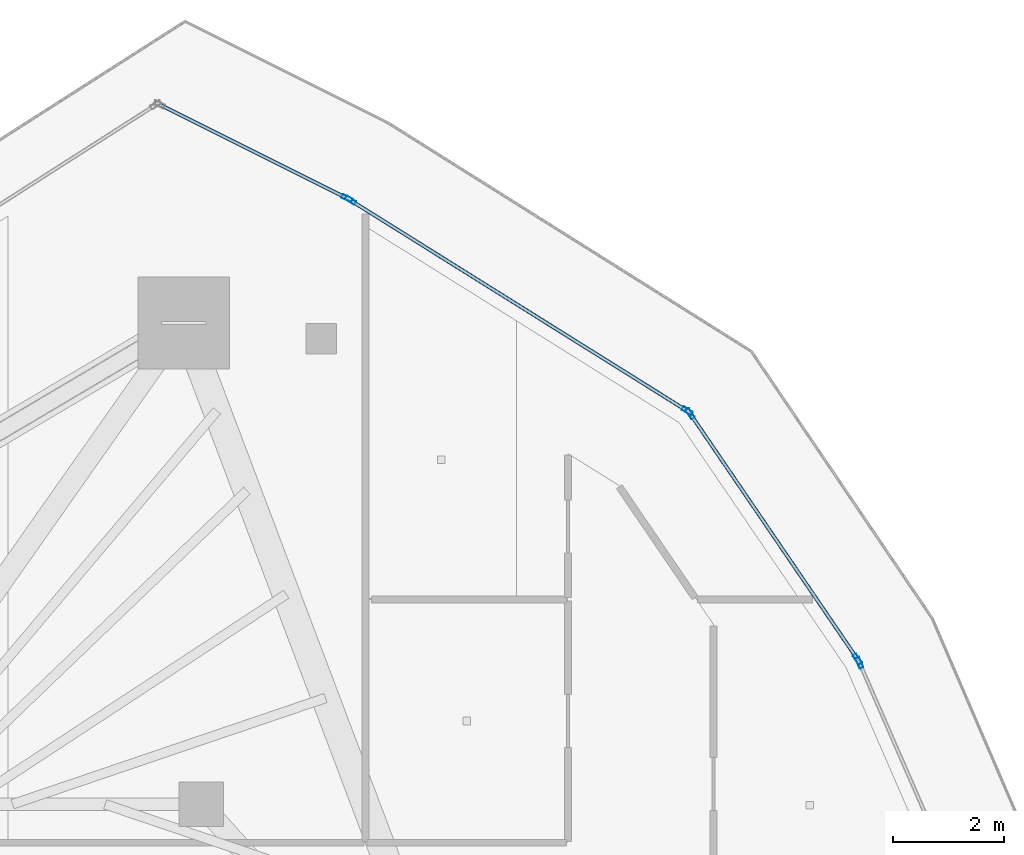
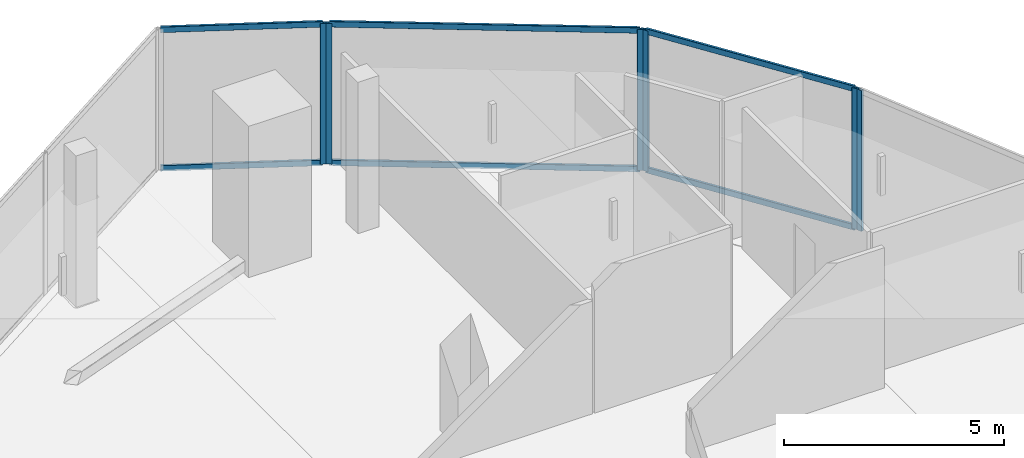
# One storey, part 21 of 34: 12 members, 4 elements without a shape of their own.
"""IFC4 building model written with IfcOpenShell, lengths in metres."""

from ifc_helpers import new_model, si_unit, direction, frame, origin, origin_2d, place, context, subcontext, project, spatial, hollow_rectangle, extrude, material, layer, layer_set, material_profile, profile_set, type_object, element, aggregate, save


model = new_model("IFC4")

# Units and contexts
model_context = context("Model", 3, precision=1e-05, world=origin(), true_north=direction((0.0, 1.0)))
body_context = subcontext(model_context, "Body", "Model", "MODEL_VIEW")
ifc_project = project(units=[si_unit("LENGTHUNIT", "METRE"), si_unit("AREAUNIT", "SQUARE_METRE"), si_unit("VOLUMEUNIT", "CUBIC_METRE"), si_unit("PLANEANGLEUNIT", "RADIAN"), si_unit("MASSUNIT", "GRAM", prefix="KILO")], contexts=[model_context])

# Site, building, storey
site_placement = place(None, origin())
site = spatial("IfcSite", under=ifc_project, at=site_placement, CompositionType="ELEMENT")
building_placement = place(site_placement, origin())
building = spatial("IfcBuilding", under=site, at=building_placement, Name="Qorvath Tower", CompositionType="ELEMENT")
storey_placement = place(building_placement, frame((0.0, 0.0, 276.60009765625)))
storey = spatial("IfcBuildingStorey", under=building, at=storey_placement, Name="L64", CompositionType="ELEMENT", Elevation=276.60009765625)

# Curtain wall, member
ifc_material_1 = material(Name="Anodised aluminium and triple low-E glass", Category="aluminium")
ifc_layer = layer(ifc_material_1, 0.179931640625)
ifc_layer_set = layer_set([ifc_layer], Name="CW-SYS-4")
curtain_wall_type = type_object("IfcCurtainWallType", Name="CW-SYS-4", PredefinedType="NOTDEFINED", material=ifc_layer_set)
curtain_wall_1_placement = place(storey_placement, origin())
curtain_wall_1 = element("IfcCurtainWall", 1, at=curtain_wall_1_placement, inside=storey, type_object=curtain_wall_type, Name="Curtain Wall CW-4 CW-T-L64-12.1", PredefinedType="NOTDEFINED")
ifc_material_2 = material(Name="Anodised aluminium 6063-T6", Category="aluminium")
ifc_material_profile_1 = material_profile(ifc_material_2, hollow_rectangle(XDim=0.074951171875, YDim=0.199951171875, WallThickness=0.00390625, InnerFilletRadius=0.00390625, OuterFilletRadius=0.008056640625, at=origin_2d()), Name="CWM 200x75")
ifc_profile_set_1 = profile_set([ifc_material_profile_1], Name="Anodised aluminium 6063-T6")
member_type_1 = type_object("IfcMemberType", Name="CWM-200", PredefinedType="MULLION", material=ifc_profile_set_1)
member_1_placement = place(storey_placement, frame((-5.365966796875, 13.994384765625, 0.0), z_axis=(0.0, 0.0, 1.0), x_axis=(-0.91655883173, -0.399899872441, 0.0)))
member_1 = element("IfcMember", 2, at=member_1_placement, type_object=member_type_1, Name="CW-4 mullion 2", PredefinedType="MULLION", context=body_context, shape_type="SweptSolid", body=[
    extrude(hollow_rectangle(XDim=0.074951171875, YDim=0.199951171875, WallThickness=0.00390625, InnerFilletRadius=0.00390625, OuterFilletRadius=0.008056640625, at=origin_2d()), origin(), (0.0, 0.0, 1.0), 3.909912109375),
])
aggregate(curtain_wall_1, [member_1])

# Curtain wall, members
curtain_wall_2_placement = place(storey_placement, origin())
curtain_wall_2 = element("IfcCurtainWall", 3, at=curtain_wall_2_placement, inside=storey, type_object=curtain_wall_type, Name="Curtain Wall CW-4 CW-T-L64-13.1", PredefinedType="NOTDEFINED")
member_2_placement = place(storey_placement, frame((-5.402099609375, 14.059814453125, 0.0), z_axis=(0.0, 0.0, 1.0), x_axis=(-0.826318799643, -0.56320266455, 0.0)))
member_2 = element("IfcMember", 4, at=member_2_placement, type_object=member_type_1, Name="CW-4 mullion 1", PredefinedType="MULLION", context=body_context, shape_type="SweptSolid", body=[
    extrude(hollow_rectangle(XDim=0.074951171875, YDim=0.199951171875, WallThickness=0.00390625, InnerFilletRadius=0.00390625, OuterFilletRadius=0.008056640625, at=origin_2d()), origin(), (0.0, 0.0, 1.0), 3.909912109375),
])
member_3_placement = place(storey_placement, frame((-8.407958984375, 18.47021484375, 0.0), z_axis=(0.0, 0.0, 1.0), x_axis=(-0.826318799643, -0.56320266455, 0.0)))
member_3 = element("IfcMember", 5, at=member_3_placement, type_object=member_type_1, Name="CW-4 mullion 2", PredefinedType="MULLION", context=body_context, shape_type="SweptSolid", body=[
    extrude(hollow_rectangle(XDim=0.074951171875, YDim=0.199951171875, WallThickness=0.00390625, InnerFilletRadius=0.00390625, OuterFilletRadius=0.008056640625, at=origin_2d()), origin(), (0.0, 0.0, 1.0), 3.909912109375),
])

curtain_wall_3_placement = place(storey_placement, origin())
curtain_wall_3 = element("IfcCurtainWall", 6, at=curtain_wall_3_placement, inside=storey, type_object=curtain_wall_type, Name="Curtain Wall CW-4 CW-T-L64-14.1", PredefinedType="NOTDEFINED")
member_4_placement = place(storey_placement, frame((-8.4609375, 18.52099609375, 0.0), z_axis=(0.0, 0.0, 1.0), x_axis=(-0.530362503391, -0.84777096848, 0.0)))
member_4 = element("IfcMember", 7, at=member_4_placement, type_object=member_type_1, Name="CW-4 mullion 1", PredefinedType="MULLION", context=body_context, shape_type="SweptSolid", body=[
    extrude(hollow_rectangle(XDim=0.074951171875, YDim=0.199951171875, WallThickness=0.00390625, InnerFilletRadius=0.00390625, OuterFilletRadius=0.008056640625, at=origin_2d()), origin(), (0.0, 0.0, 1.0), 3.909912109375),
])
member_5_placement = place(storey_placement, frame((-14.51708984375, 22.309814453125, 0.0), z_axis=(0.0, 0.0, 1.0), x_axis=(-0.530362503391, -0.84777096848, 0.0)))
member_5 = element("IfcMember", 8, at=member_5_placement, type_object=member_type_1, Name="CW-4 mullion 2", PredefinedType="MULLION", context=body_context, shape_type="SweptSolid", body=[
    extrude(hollow_rectangle(XDim=0.074951171875, YDim=0.199951171875, WallThickness=0.00390625, InnerFilletRadius=0.00390625, OuterFilletRadius=0.008056640625, at=origin_2d()), origin(), (0.0, 0.0, 1.0), 3.909912109375),
])

# Curtain wall, member
curtain_wall_4_placement = place(storey_placement, origin())
curtain_wall_4 = element("IfcCurtainWall", 9, at=curtain_wall_4_placement, inside=storey, type_object=curtain_wall_type, Name="Curtain Wall CW-4 CW-T-L64-15.1", PredefinedType="NOTDEFINED")
member_6_placement = place(storey_placement, frame((-14.582275390625, 22.346435546875, 0.0), z_axis=(0.0, 0.0, 1.0), x_axis=(-0.447244838324, -0.894411568906, 0.0)))
member_6 = element("IfcMember", 10, at=member_6_placement, type_object=member_type_1, Name="CW-4 mullion 1", PredefinedType="MULLION", context=body_context, shape_type="SweptSolid", body=[
    extrude(hollow_rectangle(XDim=0.074951171875, YDim=0.199951171875, WallThickness=0.00390625, InnerFilletRadius=0.00390625, OuterFilletRadius=0.008056640625, at=origin_2d()), origin(), (0.0, 0.0, 1.0), 3.909912109375),
])

# Member
ifc_material_3 = material(Name="Anodised aluminium 6063-T6", Category="aluminium")
ifc_material_profile_2 = material_profile(ifc_material_3, hollow_rectangle(XDim=0.06494140625, YDim=0.159912109375, WallThickness=0.00341796875, InnerFilletRadius=0.00341796875, OuterFilletRadius=0.007080078125, at=origin_2d()), Name="CWT 160x65")
ifc_profile_set_2 = profile_set([ifc_material_profile_2], Name="Anodised aluminium 6063-T6")
member_type_2 = type_object("IfcMemberType", Name="CWT-160", PredefinedType="USERDEFINED", material=ifc_profile_set_2)
member_7_placement = place(storey_placement, frame((-5.423095703125, 14.0908203125, 0.032470703125), z_axis=(-0.563214455362, 0.826310763134, 0.0), x_axis=(-0.826310763134, -0.563214455362, 0.0)))
member_7 = element("IfcMember", 11, at=member_7_placement, type_object=member_type_2, Name="CW-4 transom 1.1", ObjectType="TRANSOM", PredefinedType="USERDEFINED", context=body_context, shape_type="SweptSolid", body=[
    extrude(hollow_rectangle(XDim=0.06494140625, YDim=0.159912109375, WallThickness=0.00341796875, InnerFilletRadius=0.00341796875, OuterFilletRadius=0.007080078125, at=origin_2d()), origin(), (0.0, 0.0, 1.0), 5.262451171875),
])

member_8_placement = place(storey_placement, frame((-5.423095703125, 14.0908203125, 3.87744140625), z_axis=(-0.563214455362, 0.826310763134, 0.0), x_axis=(-0.826310763134, -0.563214455362, 0.0)))
member_8 = element("IfcMember", 12, at=member_8_placement, type_object=member_type_2, Name="CW-4 transom 1.2", ObjectType="TRANSOM", PredefinedType="USERDEFINED", context=body_context, shape_type="SweptSolid", body=[
    extrude(hollow_rectangle(XDim=0.06494140625, YDim=0.159912109375, WallThickness=0.00341796875, InnerFilletRadius=0.00341796875, OuterFilletRadius=0.007080078125, at=origin_2d()), origin(), (0.0, 0.0, 1.0), 5.262451171875),
])

aggregate(curtain_wall_2, [member_2, member_3, member_7, member_8])

member_9_placement = place(storey_placement, frame((-8.49267578125, 18.541015625, 0.032470703125), z_axis=(-0.847775079583, 0.53035593184, 0.0), x_axis=(-0.53035593184, -0.847775079583, 0.0)))
member_9 = element("IfcMember", 13, at=member_9_placement, type_object=member_type_2, Name="CW-4 transom 1.1", ObjectType="TRANSOM", PredefinedType="USERDEFINED", context=body_context, shape_type="SweptSolid", body=[
    extrude(hollow_rectangle(XDim=0.06494140625, YDim=0.159912109375, WallThickness=0.00341796875, InnerFilletRadius=0.00341796875, OuterFilletRadius=0.007080078125, at=origin_2d()), origin(), (0.0, 0.0, 1.0), 7.068359375),
])

member_10_placement = place(storey_placement, frame((-8.49267578125, 18.541015625, 3.87744140625), z_axis=(-0.847775079583, 0.53035593184, 0.0), x_axis=(-0.53035593184, -0.847775079583, 0.0)))
member_10 = element("IfcMember", 14, at=member_10_placement, type_object=member_type_2, Name="CW-4 transom 1.2", ObjectType="TRANSOM", PredefinedType="USERDEFINED", context=body_context, shape_type="SweptSolid", body=[
    extrude(hollow_rectangle(XDim=0.06494140625, YDim=0.159912109375, WallThickness=0.00341796875, InnerFilletRadius=0.00341796875, OuterFilletRadius=0.007080078125, at=origin_2d()), origin(), (0.0, 0.0, 1.0), 7.068359375),
])

aggregate(curtain_wall_3, [member_4, member_5, member_9, member_10])

member_11_placement = place(storey_placement, frame((-14.615966796875, 22.363037109375, 0.032470703125), z_axis=(-0.89438749866, 0.447292971373, 0.0), x_axis=(-0.447292971373, -0.89438749866, 0.0)))
member_11 = element("IfcMember", 15, at=member_11_placement, type_object=member_type_2, Name="CW-4 transom 1.1", ObjectType="TRANSOM", PredefinedType="USERDEFINED", context=body_context, shape_type="SweptSolid", body=[
    extrude(hollow_rectangle(XDim=0.06494140625, YDim=0.159912109375, WallThickness=0.00341796875, InnerFilletRadius=0.00341796875, OuterFilletRadius=0.007080078125, at=origin_2d()), origin(), (0.0, 0.0, 1.0), 3.69091796875),
])

member_12_placement = place(storey_placement, frame((-14.615966796875, 22.363037109375, 3.87744140625), z_axis=(-0.89438749866, 0.447292971373, 0.0), x_axis=(-0.447292971373, -0.89438749866, 0.0)))
member_12 = element("IfcMember", 16, at=member_12_placement, type_object=member_type_2, Name="CW-4 transom 1.2", ObjectType="TRANSOM", PredefinedType="USERDEFINED", context=body_context, shape_type="SweptSolid", body=[
    extrude(hollow_rectangle(XDim=0.06494140625, YDim=0.159912109375, WallThickness=0.00341796875, InnerFilletRadius=0.00341796875, OuterFilletRadius=0.007080078125, at=origin_2d()), origin(), (0.0, 0.0, 1.0), 3.69091796875),
])

aggregate(curtain_wall_4, [member_6, member_11, member_12])

save(model, "model.ifc")
